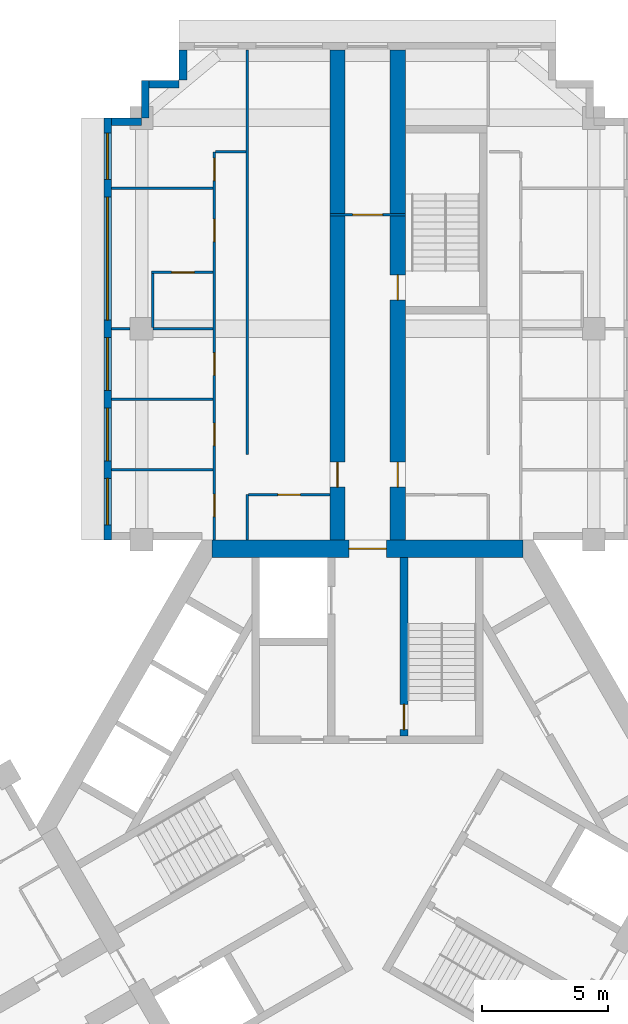
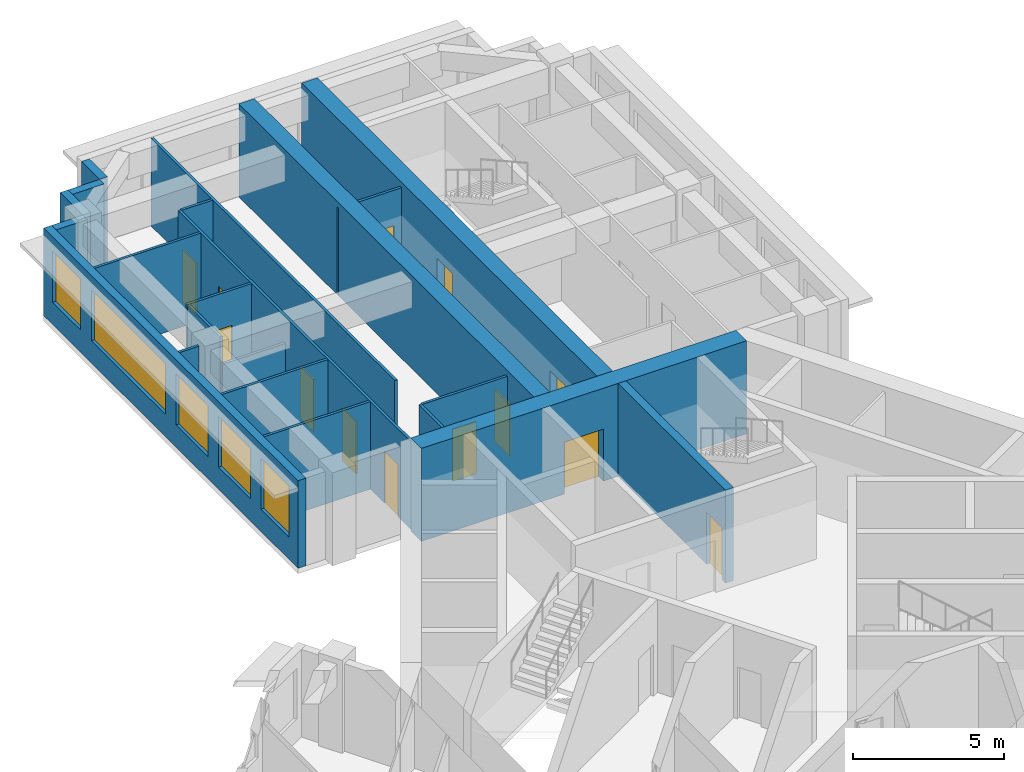
# One storey, part 7 of 10: 22 walls, 13 doors, 5 windows, 18 openings.
"""IFC4 building model written with IfcOpenShell, lengths in metres."""

from ifc_helpers import new_model, si_unit, direction, frame, frame_2d, origin, place, context, subcontext, project, spatial, rectangle, extrude, material, layer, layer_set, type_object, element, fill, save


model = new_model("IFC4")

# Units and contexts
model_context = context("Model", 3, precision=1e-05, world=origin(), true_north=direction((0.0, 1.0)))
body_context = subcontext(model_context, "Body", "Model", "MODEL_VIEW")
ifc_project = project(units=[si_unit("LENGTHUNIT", "METRE"), si_unit("AREAUNIT", "SQUARE_METRE"), si_unit("VOLUMEUNIT", "CUBIC_METRE"), si_unit("PLANEANGLEUNIT", "RADIAN"), si_unit("MASSUNIT", "GRAM", prefix="KILO")], contexts=[model_context])

# Site, building, storey
site_placement = place(None, origin())
site = spatial("IfcSite", under=ifc_project, at=site_placement, CompositionType="ELEMENT")
building_placement = place(site_placement, origin())
building = spatial("IfcBuilding", under=site, at=building_placement, Name="Impinga Residences", CompositionType="ELEMENT")
storey_placement = place(building_placement, frame((0.0, 0.0, 241.0)))
storey = spatial("IfcBuildingStorey", under=building, at=storey_placement, Name="L60", CompositionType="ELEMENT", Elevation=241.0)

# Wall, opening, door
ifc_material_1 = material(Name="Concrete C60/75", Category="concrete")
ifc_layer_1 = layer(ifc_material_1, 0.60009765625)
ifc_layer_set_1 = layer_set([ifc_layer_1], Name="Concrete C60/75")
wall_type_1 = type_object("IfcWallType", Name="BW3 corridor buttress wall, L46 to L73 600", PredefinedType="SHEAR", material=ifc_layer_set_1)
wall_1_placement = place(storey_placement, frame((-1.199951171875, 11.08154296875, 0.0), z_axis=(0.0, 0.0, 1.0), x_axis=(0.0, 1.0, 0.0)))
wall_1 = element("IfcWall", 1, at=wall_1_placement, inside=storey, type_object=wall_type_1, Name="Corridor wall BW3 NC L60", PredefinedType="SHEAR", context=body_context, shape_type="SweptSolid", body=[
    extrude(rectangle(XDim=19.85009765625, YDim=0.60009765625, at=frame_2d((9.925048828125, 0.0))), origin(), (0.0, 0.0, 1.0), 3.75),
])
opening_1_placement = place(wall_1_placement, frame((2.449951171875, 0.0, 0.0)))
opening_1 = element("IfcOpeningElement", 2, at=opening_1_placement, cuts=wall_1, Name="Opening D1", PredefinedType="OPENING", context=body_context, shape_type="SweptSolid", body=[
    extrude(rectangle(XDim=1.0, YDim=2.10009765625, at=frame_2d((0.5, 1.050048828125))), frame((0.0, 0.31005859375, 0.0), z_axis=(0.0, -1.0, 0.0), x_axis=(1.0, 0.0, 0.0)), (0.0, 0.0, 1.0), 0.6201171875),
])
ifc_material_2 = material(Name="Timber door set", Category="wood")
door_type_1 = type_object("IfcDoorType", Name="D1 apartment entrance door 1000x2100", OperationType="SINGLE_SWING_LEFT", PredefinedType="DOOR", material=ifc_material_2)
door_1_placement = place(opening_1_placement, origin())
door_1 = element("IfcDoor", 3, at=door_1_placement, inside=storey, type_object=door_type_1, Name="Apartment L60-NA1 entrance", OperationType="SINGLE_SWING_LEFT", OverallHeight=2.10009765625, OverallWidth=1.0, PredefinedType="DOOR", context=body_context, shape_type="SweptSolid", body=[
    extrude(rectangle(XDim=1.0, YDim=2.10009765625, at=frame_2d((0.5, 1.050048828125))), frame((0.0, 0.02490234375, 0.0), z_axis=(0.0, -1.0, 0.0), x_axis=(1.0, 0.0, 0.0)), (0.0, 0.0, 1.0), 0.050048828125),
])
fill(opening_1, door_1)

# Wall, openings, doors
wall_2_placement = place(storey_placement, frame((1.199951171875, 11.08154296875, 0.0), z_axis=(0.0, 0.0, 1.0), x_axis=(0.0, 1.0, 0.0)))
wall_2 = element("IfcWall", 4, at=wall_2_placement, inside=storey, type_object=wall_type_1, Name="Corridor wall BW3 ND L60", PredefinedType="SHEAR", context=body_context, shape_type="SweptSolid", body=[
    extrude(rectangle(XDim=19.85009765625, YDim=0.60009765625, at=frame_2d((9.925048828125, 0.0))), origin(), (0.0, 0.0, 1.0), 3.75),
])
opening_2_placement = place(wall_2_placement, frame((9.89990234375, 0.0, 0.0)))
opening_2 = element("IfcOpeningElement", 5, at=opening_2_placement, cuts=wall_2, Name="Opening D5", PredefinedType="OPENING", context=body_context, shape_type="SweptSolid", body=[
    extrude(rectangle(XDim=1.0, YDim=2.10009765625, at=frame_2d((0.5, 1.050048828125))), frame((0.0, 0.31005859375, 0.0), z_axis=(0.0, -1.0, 0.0), x_axis=(1.0, 0.0, 0.0)), (0.0, 0.0, 1.0), 0.6201171875),
])
opening_3_placement = place(wall_2_placement, frame((2.449951171875, 0.0, 0.0)))
opening_3 = element("IfcOpeningElement", 6, at=opening_3_placement, cuts=wall_2, Name="Opening D1", PredefinedType="OPENING", context=body_context, shape_type="SweptSolid", body=[
    extrude(rectangle(XDim=1.0, YDim=2.10009765625, at=frame_2d((0.5, 1.050048828125))), frame((0.0, 0.31005859375, 0.0), z_axis=(0.0, -1.0, 0.0), x_axis=(1.0, 0.0, 0.0)), (0.0, 0.0, 1.0), 0.6201171875),
])
door_2_placement = place(opening_3_placement, origin())
door_2 = element("IfcDoor", 7, at=door_2_placement, inside=storey, type_object=door_type_1, Name="Apartment L60-NF1 entrance", OperationType="SINGLE_SWING_LEFT", OverallHeight=2.10009765625, OverallWidth=1.0, PredefinedType="DOOR", context=body_context, shape_type="SweptSolid", body=[
    extrude(rectangle(XDim=1.0, YDim=2.10009765625, at=frame_2d((0.5, 1.050048828125))), frame((0.0, 0.02490234375, 0.0), z_axis=(0.0, -1.0, 0.0), x_axis=(1.0, 0.0, 0.0)), (0.0, 0.0, 1.0), 0.050048828125),
])
fill(opening_3, door_2)
door_type_2 = type_object("IfcDoorType", Name="D5 stair door 1000x2100", OperationType="SINGLE_SWING_LEFT", PredefinedType="DOOR", material=ifc_material_2)
door_3_placement = place(opening_2_placement, origin())
door_3 = element("IfcDoor", 8, at=door_3_placement, inside=storey, type_object=door_type_2, Name="Wing stair door N", OperationType="SINGLE_SWING_RIGHT", OverallHeight=2.10009765625, OverallWidth=1.0, PredefinedType="DOOR", context=body_context, shape_type="SweptSolid", body=[
    extrude(rectangle(XDim=1.0, YDim=2.10009765625, at=frame_2d((0.5, 1.050048828125))), frame((0.0, 0.02490234375, 0.0), z_axis=(0.0, -1.0, 0.0), x_axis=(1.0, 0.0, 0.0)), (0.0, 0.0, 1.0), 0.050048828125),
])
fill(opening_2, door_3)

# Wall, opening, door
ifc_material_3 = material(Name="Concrete blockwork", Category="masonry")
ifc_layer_2 = layer(ifc_material_3, 0.10009765625)
ifc_layer_set_2 = layer_set([ifc_layer_2], Name="CP1 core room partition, blockwork 100")
wall_type_2 = type_object("IfcWallType", Name="CP1 core room partition, blockwork 100", PredefinedType="PARTITIONING", material=ifc_layer_set_2)
wall_3_placement = place(storey_placement, frame((-1.5, 24.381591796875, 0.0), z_axis=(0.0, 0.0, 1.0), x_axis=(1.0, 0.0, 0.0)))
wall_3 = element("IfcWall", 9, at=wall_3_placement, inside=storey, type_object=wall_type_2, Name="Core room partition, blockwork L60:N:LNG", PredefinedType="PARTITIONING", context=body_context, shape_type="SweptSolid", body=[
    extrude(rectangle(XDim=3.0, YDim=0.10009765625, at=frame_2d((1.5, 0.0))), origin(), (0.0, 0.0, 1.0), 3.530029296875),
])
opening_4_placement = place(wall_3_placement, frame((0.89990234375, 0.0, 0.0)))
opening_4 = element("IfcOpeningElement", 10, at=opening_4_placement, cuts=wall_3, Name="Opening D3", PredefinedType="OPENING", context=body_context, shape_type="SweptSolid", body=[
    extrude(rectangle(XDim=1.199951171875, YDim=2.10009765625, at=frame_2d((0.60009765625, 1.050048828125))), frame((0.0, 0.06005859375, 0.0), z_axis=(0.0, -1.0, 0.0), x_axis=(1.0, 0.0, 0.0)), (0.0, 0.0, 1.0), 0.1201171875),
])
door_type_3 = type_object("IfcDoorType", Name="D3 room door, leaf and a half 1200x2100", OperationType="DOUBLE_SWING_LEFT", PredefinedType="DOOR", material=ifc_material_2)
door_4_placement = place(opening_4_placement, origin())
door_4 = element("IfcDoor", 11, at=door_4_placement, inside=storey, type_object=door_type_3, Name="Residents' lounge door N", OperationType="DOUBLE_SWING_LEFT", OverallHeight=2.10009765625, OverallWidth=1.199951171875, PredefinedType="DOOR", context=body_context, shape_type="SweptSolid", body=[
    extrude(rectangle(XDim=1.199951171875, YDim=2.10009765625, at=frame_2d((0.60009765625, 1.050048828125))), frame((0.0, 0.02490234375, 0.0), z_axis=(0.0, -1.0, 0.0), x_axis=(1.0, 0.0, 0.0)), (0.0, 0.0, 1.0), 0.050048828125),
])
fill(opening_4, door_4)

# Wall, openings, windows
ifc_material_4 = material(Name="Terracotta rainscreen on blockwork", Category="masonry")
ifc_layer_3 = layer(ifc_material_4, 0.300048828125)
ifc_layer_set_3 = layer_set([ifc_layer_3], Name="EW1 external wall, terracotta rainscreen on blockwork 300")
wall_type_3 = type_object("IfcWallType", Name="EW1 external wall, terracotta rainscreen on blockwork 300", PredefinedType="SOLIDWALL", material=ifc_layer_set_3)
wall_4_placement = place(storey_placement, frame((-10.35009765625, 11.431640625, 0.0), z_axis=(0.0, 0.0, 1.0), x_axis=(0.0, 1.0, 0.0)))
wall_4 = element("IfcWall", 12, at=wall_4_placement, inside=storey, type_object=wall_type_3, Name="External wall EW1 L60", PredefinedType="SOLIDWALL", context=body_context, shape_type="SweptSolid", body=[
    extrude(rectangle(XDim=16.7998046875, YDim=0.300048828125, at=frame_2d((8.39990234375, 0.0))), origin(), (0.0, 0.0, 1.0), 3.530029296875),
])
opening_5_placement = place(wall_4_placement, frame((0.60009765625, 0.0, 0.89990234375)))
opening_5 = element("IfcOpeningElement", 13, at=opening_5_placement, cuts=wall_4, Name="Opening W15", PredefinedType="OPENING", context=body_context, shape_type="SweptSolid", body=[
    extrude(rectangle(XDim=1.85009765625, YDim=2.050048828125, at=frame_2d((0.925048828125, 1.02490234375))), frame((0.0, 0.159912109375, 0.0), z_axis=(0.0, -1.0, 0.0), x_axis=(1.0, 0.0, 0.0)), (0.0, 0.0, 1.0), 0.320068359375),
])
opening_6_placement = place(wall_4_placement, frame((3.14990234375, 0.0, 0.89990234375)))
opening_6 = element("IfcOpeningElement", 14, at=opening_6_placement, cuts=wall_4, Name="Opening W9", PredefinedType="OPENING", context=body_context, shape_type="SweptSolid", body=[
    extrude(rectangle(XDim=2.10009765625, YDim=2.050048828125, at=frame_2d((1.050048828125, 1.02490234375))), frame((0.0, 0.159912109375, 0.0), z_axis=(0.0, -1.0, 0.0), x_axis=(1.0, 0.0, 0.0)), (0.0, 0.0, 1.0), 0.320068359375),
])
opening_7_placement = place(wall_4_placement, frame((5.949951171875, 0.0, 0.89990234375)))
opening_7 = element("IfcOpeningElement", 15, at=opening_7_placement, cuts=wall_4, Name="Opening W9", PredefinedType="OPENING", context=body_context, shape_type="SweptSolid", body=[
    extrude(rectangle(XDim=2.10009765625, YDim=2.050048828125, at=frame_2d((1.050048828125, 1.02490234375))), frame((0.0, 0.159912109375, 0.0), z_axis=(0.0, -1.0, 0.0), x_axis=(1.0, 0.0, 0.0)), (0.0, 0.0, 1.0), 0.320068359375),
])
opening_8_placement = place(wall_4_placement, frame((8.75, 0.0, 0.89990234375)))
opening_8 = element("IfcOpeningElement", 16, at=opening_8_placement, cuts=wall_4, Name="Opening W16", PredefinedType="OPENING", context=body_context, shape_type="SweptSolid", body=[
    extrude(rectangle(XDim=4.89990234375, YDim=2.050048828125, at=frame_2d((2.449951171875, 1.02490234375))), frame((0.0, 0.159912109375, 0.0), z_axis=(0.0, -1.0, 0.0), x_axis=(1.0, 0.0, 0.0)), (0.0, 0.0, 1.0), 0.320068359375),
])
opening_9_placement = place(wall_4_placement, frame((14.35009765625, 0.0, 0.89990234375)))
opening_9 = element("IfcOpeningElement", 17, at=opening_9_placement, cuts=wall_4, Name="Opening W15", PredefinedType="OPENING", context=body_context, shape_type="SweptSolid", body=[
    extrude(rectangle(XDim=1.85009765625, YDim=2.050048828125, at=frame_2d((0.925048828125, 1.02490234375))), frame((0.0, 0.159912109375, 0.0), z_axis=(0.0, -1.0, 0.0), x_axis=(1.0, 0.0, 0.0)), (0.0, 0.0, 1.0), 0.320068359375),
])
ifc_material_5 = material(Name="Aluminium window, clear double glazing", Category="aluminium")
window_type_1 = type_object("IfcWindowType", Name="W15 ribbon window 1850x2050", PartitioningType="SINGLE_PANEL", PredefinedType="WINDOW", material=ifc_material_5)
window_1_placement = place(opening_5_placement, origin())
window_1 = element("IfcWindow", 18, at=window_1_placement, inside=storey, type_object=window_type_1, Name="Window L60", OverallHeight=2.050048828125, OverallWidth=1.85009765625, PartitioningType="SINGLE_PANEL", PredefinedType="WINDOW", context=body_context, shape_type="SweptSolid", body=[
    extrude(rectangle(XDim=1.85009765625, YDim=2.050048828125, at=frame_2d((0.925048828125, 1.02490234375))), frame((0.0, 0.030029296875, 0.0), z_axis=(0.0, -1.0, 0.0), x_axis=(1.0, 0.0, 0.0)), (0.0, 0.0, 1.0), 0.06005859375),
])
fill(opening_5, window_1)
window_2_placement = place(opening_9_placement, origin())
window_2 = element("IfcWindow", 19, at=window_2_placement, inside=storey, type_object=window_type_1, Name="Window L60", OverallHeight=2.050048828125, OverallWidth=1.85009765625, PartitioningType="SINGLE_PANEL", PredefinedType="WINDOW", context=body_context, shape_type="SweptSolid", body=[
    extrude(rectangle(XDim=1.85009765625, YDim=2.050048828125, at=frame_2d((0.925048828125, 1.02490234375))), frame((0.0, 0.030029296875, 0.0), z_axis=(0.0, -1.0, 0.0), x_axis=(1.0, 0.0, 0.0)), (0.0, 0.0, 1.0), 0.06005859375),
])
fill(opening_9, window_2)
window_type_2 = type_object("IfcWindowType", Name="W16 ribbon window 4900x2050", PartitioningType="SINGLE_PANEL", PredefinedType="WINDOW", material=ifc_material_5)
window_3_placement = place(opening_8_placement, origin())
window_3 = element("IfcWindow", 20, at=window_3_placement, inside=storey, type_object=window_type_2, Name="Window L60", OverallHeight=2.050048828125, OverallWidth=4.89990234375, PartitioningType="SINGLE_PANEL", PredefinedType="WINDOW", context=body_context, shape_type="SweptSolid", body=[
    extrude(rectangle(XDim=4.89990234375, YDim=2.050048828125, at=frame_2d((2.449951171875, 1.02490234375))), frame((0.0, 0.030029296875, 0.0), z_axis=(0.0, -1.0, 0.0), x_axis=(1.0, 0.0, 0.0)), (0.0, 0.0, 1.0), 0.06005859375),
])
fill(opening_8, window_3)
window_type_3 = type_object("IfcWindowType", Name="W9 ribbon window 2100x2050", PartitioningType="SINGLE_PANEL", PredefinedType="WINDOW", material=ifc_material_5)
window_4_placement = place(opening_6_placement, origin())
window_4 = element("IfcWindow", 21, at=window_4_placement, inside=storey, type_object=window_type_3, Name="Window L60", OverallHeight=2.050048828125, OverallWidth=2.10009765625, PartitioningType="SINGLE_PANEL", PredefinedType="WINDOW", context=body_context, shape_type="SweptSolid", body=[
    extrude(rectangle(XDim=2.10009765625, YDim=2.050048828125, at=frame_2d((1.050048828125, 1.02490234375))), frame((0.0, 0.030029296875, 0.0), z_axis=(0.0, -1.0, 0.0), x_axis=(1.0, 0.0, 0.0)), (0.0, 0.0, 1.0), 0.06005859375),
])
fill(opening_6, window_4)
window_5_placement = place(opening_7_placement, origin())
window_5 = element("IfcWindow", 22, at=window_5_placement, inside=storey, type_object=window_type_3, Name="Window L60", OverallHeight=2.050048828125, OverallWidth=2.10009765625, PartitioningType="SINGLE_PANEL", PredefinedType="WINDOW", context=body_context, shape_type="SweptSolid", body=[
    extrude(rectangle(XDim=2.10009765625, YDim=2.050048828125, at=frame_2d((1.050048828125, 1.02490234375))), frame((0.0, 0.030029296875, 0.0), z_axis=(0.0, -1.0, 0.0), x_axis=(1.0, 0.0, 0.0)), (0.0, 0.0, 1.0), 0.06005859375),
])
fill(opening_7, window_5)

# Walls
wall_5_placement = place(storey_placement, frame((-10.199951171875, 28.08154296875, 0.0), z_axis=(0.0, 0.0, 1.0), x_axis=(1.0, 0.0, 0.0)))
element("IfcWall", 23, at=wall_5_placement, inside=storey, type_object=wall_type_3, Name="External wall EW1 L60", PredefinedType="SOLIDWALL", context=body_context, shape_type="SweptSolid", body=[
    extrude(rectangle(XDim=1.199951171875, YDim=0.300048828125, at=frame_2d((0.60009765625, 0.0))), origin(), (0.0, 0.0, 1.0), 3.530029296875),
])
wall_6_placement = place(storey_placement, frame((-8.85009765625, 28.236572265625, 0.0), z_axis=(0.0, 0.0, 1.0), x_axis=(0.0, 1.0, 0.0)))
element("IfcWall", 24, at=wall_6_placement, inside=storey, type_object=wall_type_3, Name="External wall EW1 L60", PredefinedType="SOLIDWALL", context=body_context, shape_type="SweptSolid", body=[
    extrude(rectangle(XDim=1.494873046875, YDim=0.300048828125, at=frame_2d((0.74755859375, 0.0))), origin(), (0.0, 0.0, 1.0), 3.530029296875),
])
wall_7_placement = place(storey_placement, frame((-8.699951171875, 29.58154296875, 0.0), z_axis=(0.0, 0.0, 1.0), x_axis=(1.0, 0.0, 0.0)))
element("IfcWall", 25, at=wall_7_placement, inside=storey, type_object=wall_type_3, Name="External wall EW1 L60", PredefinedType="SOLIDWALL", context=body_context, shape_type="SweptSolid", body=[
    extrude(rectangle(XDim=1.199951171875, YDim=0.300048828125, at=frame_2d((0.60009765625, 0.0))), origin(), (0.0, 0.0, 1.0), 3.530029296875),
])
wall_8_placement = place(storey_placement, frame((-7.35009765625, 29.736572265625, 0.0), z_axis=(0.0, 0.0, 1.0), x_axis=(0.0, 1.0, 0.0)))
element("IfcWall", 26, at=wall_8_placement, inside=storey, type_object=wall_type_3, Name="External wall EW1 L60", PredefinedType="SOLIDWALL", context=body_context, shape_type="SweptSolid", body=[
    extrude(rectangle(XDim=1.195068359375, YDim=0.300048828125, at=frame_2d((0.59765625, 0.0))), origin(), (0.0, 0.0, 1.0), 3.530029296875),
])
ifc_material_6 = material(Name="Gypsum board on steel studs", Category="steel")
ifc_layer_4 = layer(ifc_material_6, 0.10009765625)
ifc_layer_set_4 = layer_set([ifc_layer_4], Name="Gypsum board on steel studs")
wall_type_4 = type_object("IfcWallType", Name="IP1 partition 100", PredefinedType="PARTITIONING", material=ifc_layer_set_4)
wall_9_placement = place(storey_placement, frame((-4.800048828125, 11.431640625, 0.0), z_axis=(0.0, 0.0, 1.0), x_axis=(0.0, 1.0, 0.0)))
element("IfcWall", 27, at=wall_9_placement, inside=storey, type_object=wall_type_4, Name="Partition L60-NA1:DIV0", PredefinedType="PARTITIONING", context=body_context, shape_type="SweptSolid", body=[
    extrude(rectangle(XDim=1.7998046875, YDim=0.10009765625, at=frame_2d((0.89990234375, 0.0))), origin(), (0.0, 0.0, 1.0), 3.530029296875),
])
wall_10_placement = place(storey_placement, frame((-4.800048828125, 14.83154296875, 0.0), z_axis=(0.0, 0.0, 1.0), x_axis=(0.0, 1.0, 0.0)))
element("IfcWall", 28, at=wall_10_placement, inside=storey, type_object=wall_type_4, Name="Partition L60-NA1:DIV1", PredefinedType="PARTITIONING", context=body_context, shape_type="SweptSolid", body=[
    extrude(rectangle(XDim=16.10009765625, YDim=0.10009765625, at=frame_2d((8.050048828125, 0.0))), origin(), (0.0, 0.0, 1.0), 3.530029296875),
])

# Wall, openings, doors
wall_11_placement = place(storey_placement, frame((-6.10009765625, 11.431640625, 0.0), z_axis=(0.0, 0.0, 1.0), x_axis=(0.0, 1.0, 0.0)))
wall_11 = element("IfcWall", 29, at=wall_11_placement, inside=storey, type_object=wall_type_4, Name="Partition L60-NA1:STRIP", PredefinedType="PARTITIONING", context=body_context, shape_type="SweptSolid", body=[
    extrude(rectangle(XDim=15.449951171875, YDim=0.10009765625, at=frame_2d((7.72509765625, 0.0))), origin(), (0.0, 0.0, 1.0), 3.530029296875),
])
opening_10_placement = place(wall_11_placement, frame((0.925048828125, 0.0, 0.0)))
opening_10 = element("IfcOpeningElement", 30, at=opening_10_placement, cuts=wall_11, Name="Opening D2", PredefinedType="OPENING", context=body_context, shape_type="SweptSolid", body=[
    extrude(rectangle(XDim=0.89990234375, YDim=2.10009765625, at=frame_2d((0.449951171875, 1.050048828125))), frame((0.0, 0.06005859375, 0.0), z_axis=(0.0, -1.0, 0.0), x_axis=(1.0, 0.0, 0.0)), (0.0, 0.0, 1.0), 0.1201171875),
])
opening_11_placement = place(wall_11_placement, frame((3.75, 0.0, 0.0)))
opening_11 = element("IfcOpeningElement", 31, at=opening_11_placement, cuts=wall_11, Name="Opening D2", PredefinedType="OPENING", context=body_context, shape_type="SweptSolid", body=[
    extrude(rectangle(XDim=0.89990234375, YDim=2.10009765625, at=frame_2d((0.449951171875, 1.050048828125))), frame((0.0, 0.06005859375, 0.0), z_axis=(0.0, -1.0, 0.0), x_axis=(1.0, 0.0, 0.0)), (0.0, 0.0, 1.0), 0.1201171875),
])
opening_12_placement = place(wall_11_placement, frame((6.550048828125, 0.0, 0.0)))
opening_12 = element("IfcOpeningElement", 32, at=opening_12_placement, cuts=wall_11, Name="Opening D2", PredefinedType="OPENING", context=body_context, shape_type="SweptSolid", body=[
    extrude(rectangle(XDim=0.89990234375, YDim=2.10009765625, at=frame_2d((0.449951171875, 1.050048828125))), frame((0.0, 0.06005859375, 0.0), z_axis=(0.0, -1.0, 0.0), x_axis=(1.0, 0.0, 0.0)), (0.0, 0.0, 1.0), 0.1201171875),
])
opening_13_placement = place(wall_11_placement, frame((11.875, 0.0, 0.0)))
opening_13 = element("IfcOpeningElement", 33, at=opening_13_placement, cuts=wall_11, Name="Opening D2", PredefinedType="OPENING", context=body_context, shape_type="SweptSolid", body=[
    extrude(rectangle(XDim=0.89990234375, YDim=2.10009765625, at=frame_2d((0.449951171875, 1.050048828125))), frame((0.0, 0.06005859375, 0.0), z_axis=(0.0, -1.0, 0.0), x_axis=(1.0, 0.0, 0.0)), (0.0, 0.0, 1.0), 0.1201171875),
])
opening_14_placement = place(wall_11_placement, frame((14.300048828125, 0.0, 0.0)))
opening_14 = element("IfcOpeningElement", 34, at=opening_14_placement, cuts=wall_11, Name="Opening D2", PredefinedType="OPENING", context=body_context, shape_type="SweptSolid", body=[
    extrude(rectangle(XDim=0.89990234375, YDim=2.10009765625, at=frame_2d((0.449951171875, 1.050048828125))), frame((0.0, 0.06005859375, 0.0), z_axis=(0.0, -1.0, 0.0), x_axis=(1.0, 0.0, 0.0)), (0.0, 0.0, 1.0), 0.1201171875),
])
door_type_4 = type_object("IfcDoorType", Name="D2 internal door 900x2100", OperationType="SINGLE_SWING_LEFT", PredefinedType="DOOR", material=ifc_material_2)
door_5_placement = place(opening_10_placement, origin())
door_5 = element("IfcDoor", 35, at=door_5_placement, inside=storey, type_object=door_type_4, Name="Apartment L60-NA1 room door", OperationType="SINGLE_SWING_LEFT", OverallHeight=2.10009765625, OverallWidth=0.89990234375, PredefinedType="DOOR", context=body_context, shape_type="SweptSolid", body=[
    extrude(rectangle(XDim=0.89990234375, YDim=2.10009765625, at=frame_2d((0.449951171875, 1.050048828125))), frame((0.0, 0.02490234375, 0.0), z_axis=(0.0, -1.0, 0.0), x_axis=(1.0, 0.0, 0.0)), (0.0, 0.0, 1.0), 0.050048828125),
])
fill(opening_10, door_5)
door_6_placement = place(opening_11_placement, origin())
door_6 = element("IfcDoor", 36, at=door_6_placement, inside=storey, type_object=door_type_4, Name="Apartment L60-NA1 room door", OperationType="SINGLE_SWING_LEFT", OverallHeight=2.10009765625, OverallWidth=0.89990234375, PredefinedType="DOOR", context=body_context, shape_type="SweptSolid", body=[
    extrude(rectangle(XDim=0.89990234375, YDim=2.10009765625, at=frame_2d((0.449951171875, 1.050048828125))), frame((0.0, 0.02490234375, 0.0), z_axis=(0.0, -1.0, 0.0), x_axis=(1.0, 0.0, 0.0)), (0.0, 0.0, 1.0), 0.050048828125),
])
fill(opening_11, door_6)
door_7_placement = place(opening_12_placement, origin())
door_7 = element("IfcDoor", 37, at=door_7_placement, inside=storey, type_object=door_type_4, Name="Apartment L60-NA1 room door", OperationType="SINGLE_SWING_LEFT", OverallHeight=2.10009765625, OverallWidth=0.89990234375, PredefinedType="DOOR", context=body_context, shape_type="SweptSolid", body=[
    extrude(rectangle(XDim=0.89990234375, YDim=2.10009765625, at=frame_2d((0.449951171875, 1.050048828125))), frame((0.0, 0.02490234375, 0.0), z_axis=(0.0, -1.0, 0.0), x_axis=(1.0, 0.0, 0.0)), (0.0, 0.0, 1.0), 0.050048828125),
])
fill(opening_12, door_7)
door_8_placement = place(opening_13_placement, origin())
door_8 = element("IfcDoor", 38, at=door_8_placement, inside=storey, type_object=door_type_4, Name="Apartment L60-NA1 room door", OperationType="SINGLE_SWING_RIGHT", OverallHeight=2.10009765625, OverallWidth=0.89990234375, PredefinedType="DOOR", context=body_context, shape_type="SweptSolid", body=[
    extrude(rectangle(XDim=0.89990234375, YDim=2.10009765625, at=frame_2d((0.449951171875, 1.050048828125))), frame((0.0, 0.02490234375, 0.0), z_axis=(0.0, -1.0, 0.0), x_axis=(1.0, 0.0, 0.0)), (0.0, 0.0, 1.0), 0.050048828125),
])
fill(opening_13, door_8)
door_9_placement = place(opening_14_placement, origin())
door_9 = element("IfcDoor", 39, at=door_9_placement, inside=storey, type_object=door_type_4, Name="Apartment L60-NA1 room door", OperationType="SINGLE_SWING_RIGHT", OverallHeight=2.10009765625, OverallWidth=0.89990234375, PredefinedType="DOOR", context=body_context, shape_type="SweptSolid", body=[
    extrude(rectangle(XDim=0.89990234375, YDim=2.10009765625, at=frame_2d((0.449951171875, 1.050048828125))), frame((0.0, 0.02490234375, 0.0), z_axis=(0.0, -1.0, 0.0), x_axis=(1.0, 0.0, 0.0)), (0.0, 0.0, 1.0), 0.050048828125),
])
fill(opening_14, door_9)

# Wall
wall_12_placement = place(storey_placement, frame((-4.85009765625, 26.881591796875, 0.0), z_axis=(0.0, 0.0, 1.0), x_axis=(-1.0, 0.0, 0.0)))
element("IfcWall", 40, at=wall_12_placement, inside=storey, type_object=wall_type_4, Name="Partition L60-NA1:SE1", PredefinedType="PARTITIONING", context=body_context, shape_type="SweptSolid", body=[
    extrude(rectangle(XDim=1.199951171875, YDim=0.10009765625, at=frame_2d((0.60009765625, 0.0))), origin(), (0.0, 0.0, 1.0), 3.530029296875),
])

# Wall, opening, door
wall_13_placement = place(storey_placement, frame((-1.5, 13.2314453125, 0.0), z_axis=(0.0, 0.0, 1.0), x_axis=(-1.0, 0.0, 0.0)))
wall_13 = element("IfcWall", 41, at=wall_13_placement, inside=storey, type_object=wall_type_4, Name="Partition L60-NA1:IB1", PredefinedType="PARTITIONING", context=body_context, shape_type="SweptSolid", body=[
    extrude(rectangle(XDim=3.25, YDim=0.10009765625, at=frame_2d((1.625, 0.0))), origin(), (0.0, 0.0, 1.0), 3.530029296875),
])
opening_15_placement = place(wall_13_placement, frame((1.175048828125, 0.0, 0.0)))
opening_15 = element("IfcOpeningElement", 42, at=opening_15_placement, cuts=wall_13, Name="Opening D2", PredefinedType="OPENING", context=body_context, shape_type="SweptSolid", body=[
    extrude(rectangle(XDim=0.89990234375, YDim=2.10009765625, at=frame_2d((0.449951171875, 1.050048828125))), frame((0.0, 0.06005859375, 0.0), z_axis=(0.0, -1.0, 0.0), x_axis=(1.0, 0.0, 0.0)), (0.0, 0.0, 1.0), 0.1201171875),
])
door_10_placement = place(opening_15_placement, origin())
door_10 = element("IfcDoor", 43, at=door_10_placement, inside=storey, type_object=door_type_4, Name="Apartment L60-NA1 bathroom door", OperationType="SINGLE_SWING_LEFT", OverallHeight=2.10009765625, OverallWidth=0.89990234375, PredefinedType="DOOR", context=body_context, shape_type="SweptSolid", body=[
    extrude(rectangle(XDim=0.89990234375, YDim=2.10009765625, at=frame_2d((0.449951171875, 1.050048828125))), frame((0.0, 0.02490234375, 0.0), z_axis=(0.0, -1.0, 0.0), x_axis=(1.0, 0.0, 0.0)), (0.0, 0.0, 1.0), 0.050048828125),
])
fill(opening_15, door_10)

# Walls
for number, where, z_axis, x_axis, name in (
    (44, (-6.14990234375, 14.2314453125, 0.0), (0.0, 0.0, 1.0), (-1.0, 0.0, 0.0), "Partition L60-NA1:OB1"),
    (45, (-6.14990234375, 17.031494140625, 0.0), (0.0, 0.0, 1.0), (-1.0, 0.0, 0.0), "Partition L60-NA1:OB2"),
):
    element("IfcWall", number, at=place(storey_placement, frame(where, z_axis=z_axis, x_axis=x_axis)), inside=storey, type_object=wall_type_4, Name=name, PredefinedType="PARTITIONING", context=body_context, shape_type="SweptSolid", body=[
        extrude(rectangle(XDim=4.050048828125, YDim=0.10009765625, at=frame_2d((2.02490234375, 0.0))), origin(), (0.0, 0.0, 1.0), 3.530029296875),
    ])
wall_14_placement = place(storey_placement, frame((-6.14990234375, 19.83154296875, 0.0), z_axis=(0.0, 0.0, 1.0), x_axis=(-1.0, 0.0, 0.0)))
element("IfcWall", 46, at=wall_14_placement, inside=storey, type_object=wall_type_4, Name="Partition L60-NA1:OB3", PredefinedType="PARTITIONING", context=body_context, shape_type="SweptSolid", body=[
    extrude(rectangle(XDim=2.400146484375, YDim=0.10009765625, at=frame_2d((1.2001953125, 0.0))), origin(), (0.0, 0.0, 1.0), 2.47998046875),
])
wall_15_placement = place(storey_placement, frame((-9.449951171875, 19.83154296875, 0.0), z_axis=(0.0, 0.0, 1.0), x_axis=(-1.0, 0.0, 0.0)))
element("IfcWall", 47, at=wall_15_placement, inside=storey, type_object=wall_type_4, Name="Partition L60-NA1:OB3b", PredefinedType="PARTITIONING", context=body_context, shape_type="SweptSolid", body=[
    extrude(rectangle(XDim=0.75, YDim=0.10009765625, at=frame_2d((0.375, 0.0))), origin(), (0.0, 0.0, 1.0), 3.530029296875),
])
wall_16_placement = place(storey_placement, frame((-6.14990234375, 25.431640625, 0.0), z_axis=(0.0, 0.0, 1.0), x_axis=(-1.0, 0.0, 0.0)))
element("IfcWall", 48, at=wall_16_placement, inside=storey, type_object=wall_type_4, Name="Partition L60-NA1:OB4", PredefinedType="PARTITIONING", context=body_context, shape_type="SweptSolid", body=[
    extrude(rectangle(XDim=4.050048828125, YDim=0.10009765625, at=frame_2d((2.02490234375, 0.0))), origin(), (0.0, 0.0, 1.0), 3.530029296875),
])

# Wall, opening, door
wall_17_placement = place(storey_placement, frame((-6.14990234375, 22.08154296875, 0.0), z_axis=(0.0, 0.0, 1.0), x_axis=(-1.0, 0.0, 0.0)))
wall_17 = element("IfcWall", 49, at=wall_17_placement, inside=storey, type_object=wall_type_4, Name="Partition L60-NA1:EN1", PredefinedType="PARTITIONING", context=body_context, shape_type="SweptSolid", body=[
    extrude(rectangle(XDim=2.4501953125, YDim=0.10009765625, at=frame_2d((1.22509765625, 0.0))), origin(), (0.0, 0.0, 1.0), 3.530029296875),
])
opening_16_placement = place(wall_17_placement, frame((0.75, 0.0, 0.0)))
opening_16 = element("IfcOpeningElement", 50, at=opening_16_placement, cuts=wall_17, Name="Opening D2", PredefinedType="OPENING", context=body_context, shape_type="SweptSolid", body=[
    extrude(rectangle(XDim=0.89990234375, YDim=2.10009765625, at=frame_2d((0.449951171875, 1.050048828125))), frame((0.0, 0.06005859375, 0.0), z_axis=(0.0, -1.0, 0.0), x_axis=(1.0, 0.0, 0.0)), (0.0, 0.0, 1.0), 0.1201171875),
])
door_11_placement = place(opening_16_placement, origin())
door_11 = element("IfcDoor", 51, at=door_11_placement, inside=storey, type_object=door_type_4, Name="Apartment L60-NA1 en-suite door", OperationType="SINGLE_SWING_LEFT", OverallHeight=2.10009765625, OverallWidth=0.89990234375, PredefinedType="DOOR", context=body_context, shape_type="SweptSolid", body=[
    extrude(rectangle(XDim=0.89990234375, YDim=2.10009765625, at=frame_2d((0.449951171875, 1.050048828125))), frame((0.0, 0.02490234375, 0.0), z_axis=(0.0, -1.0, 0.0), x_axis=(1.0, 0.0, 0.0)), (0.0, 0.0, 1.0), 0.050048828125),
])
fill(opening_16, door_11)

# Wall
wall_18_placement = place(storey_placement, frame((-8.550048828125, 19.881591796875, 0.0), z_axis=(0.0, 0.0, 1.0), x_axis=(0.0, 1.0, 0.0)))
element("IfcWall", 52, at=wall_18_placement, inside=storey, type_object=wall_type_4, Name="Partition L60-NA1:EN2", PredefinedType="PARTITIONING", context=body_context, shape_type="SweptSolid", body=[
    extrude(rectangle(XDim=2.14990234375, YDim=0.10009765625, at=frame_2d((1.074951171875, 0.0))), origin(), (0.0, 0.0, 1.0), 3.530029296875),
])

# Wall, opening, door
ifc_layer_5 = layer(ifc_material_1, 0.699951171875)
ifc_layer_set_5 = layer_set([ifc_layer_5], Name="Concrete C60/75")
wall_type_5 = type_object("IfcWallType", Name="SW3 core wall 700", PredefinedType="SHEAR", material=ifc_layer_set_5)
wall_19_placement = place(storey_placement, frame((-6.19580078125, 11.08154296875, 0.0), z_axis=(0.0, 0.0, 1.0), x_axis=(1.0, 0.0, 0.0)))
wall_19 = element("IfcWall", 53, at=wall_19_placement, inside=storey, type_object=wall_type_5, Name="Core wall SW3 N:FACE L60", PredefinedType="SHEAR", context=body_context, shape_type="SweptSolid", body=[
    extrude(rectangle(XDim=12.3916015625, YDim=0.699951171875, at=frame_2d((6.19580078125, 0.0))), origin(), (0.0, 0.0, 1.0), 3.75),
])
opening_17_placement = place(wall_19_placement, frame((5.44580078125, 0.0, 0.0)))
opening_17 = element("IfcOpeningElement", 54, at=opening_17_placement, cuts=wall_19, Name="Opening D4", PredefinedType="OPENING", context=body_context, shape_type="SweptSolid", body=[
    extrude(rectangle(XDim=1.5, YDim=2.10009765625, at=frame_2d((0.75, 1.050048828125))), frame((0.0, 0.35986328125, 0.0), z_axis=(0.0, -1.0, 0.0), x_axis=(1.0, 0.0, 0.0)), (0.0, 0.0, 1.0), 0.719970703125),
])
door_type_5 = type_object("IfcDoorType", Name="D4 lobby door pair 1500x2100", OperationType="DOUBLE_DOOR_DOUBLE_SWING", PredefinedType="DOOR", material=ifc_material_2)
door_12_placement = place(opening_17_placement, origin())
door_12 = element("IfcDoor", 55, at=door_12_placement, inside=storey, type_object=door_type_5, Name="Lobby door N", OperationType="DOUBLE_DOOR_DOUBLE_SWING", OverallHeight=2.10009765625, OverallWidth=1.5, PredefinedType="DOOR", context=body_context, shape_type="SweptSolid", body=[
    extrude(rectangle(XDim=1.5, YDim=2.10009765625, at=frame_2d((0.75, 1.050048828125))), frame((0.0, 0.02490234375, 0.0), z_axis=(0.0, -1.0, 0.0), x_axis=(1.0, 0.0, 0.0)), (0.0, 0.0, 1.0), 0.050048828125),
])
fill(opening_17, door_12)

ifc_material_7 = material(Name="Concrete C70/85", Category="concrete")
ifc_layer_6 = layer(ifc_material_7, 0.300048828125)
ifc_layer_set_6 = layer_set([ifc_layer_6], Name="Concrete C70/85")
wall_type_6 = type_object("IfcWallType", Name="SW5 core inner wall, stairs, shafts and lobbies 300", PredefinedType="SHEAR", material=ifc_layer_set_6)
wall_20_placement = place(storey_placement, frame((1.449951171875, 3.6298828125, 0.0), z_axis=(0.0, 0.0, 1.0), x_axis=(0.0, 1.0, 0.0)))
wall_20 = element("IfcWall", 56, at=wall_20_placement, inside=storey, type_object=wall_type_6, Name="Core wall SW5 N:ST-IN L60", PredefinedType="SHEAR", context=body_context, shape_type="SweptSolid", body=[
    extrude(rectangle(XDim=7.1015625, YDim=0.300048828125, at=frame_2d((3.55078125, 0.0))), origin(), (0.0, 0.0, 1.0), 3.75),
])
opening_18_placement = place(wall_20_placement, frame((0.25, 0.0, 0.0)))
opening_18 = element("IfcOpeningElement", 57, at=opening_18_placement, cuts=wall_20, Name="Opening D5", PredefinedType="OPENING", context=body_context, shape_type="SweptSolid", body=[
    extrude(rectangle(XDim=1.0, YDim=2.10009765625, at=frame_2d((0.5, 1.050048828125))), frame((0.0, 0.159912109375, 0.0), z_axis=(0.0, -1.0, 0.0), x_axis=(1.0, 0.0, 0.0)), (0.0, 0.0, 1.0), 0.320068359375),
])
door_13_placement = place(opening_18_placement, origin())
door_13 = element("IfcDoor", 58, at=door_13_placement, inside=storey, type_object=door_type_2, Name="Stair door N", OperationType="SINGLE_SWING_LEFT", OverallHeight=2.10009765625, OverallWidth=1.0, PredefinedType="DOOR", context=body_context, shape_type="SweptSolid", body=[
    extrude(rectangle(XDim=1.0, YDim=2.10009765625, at=frame_2d((0.5, 1.050048828125))), frame((0.0, 0.02490234375, 0.0), z_axis=(0.0, -1.0, 0.0), x_axis=(1.0, 0.0, 0.0)), (0.0, 0.0, 1.0), 0.050048828125),
])
fill(opening_18, door_13)

save(model, "model.ifc")
